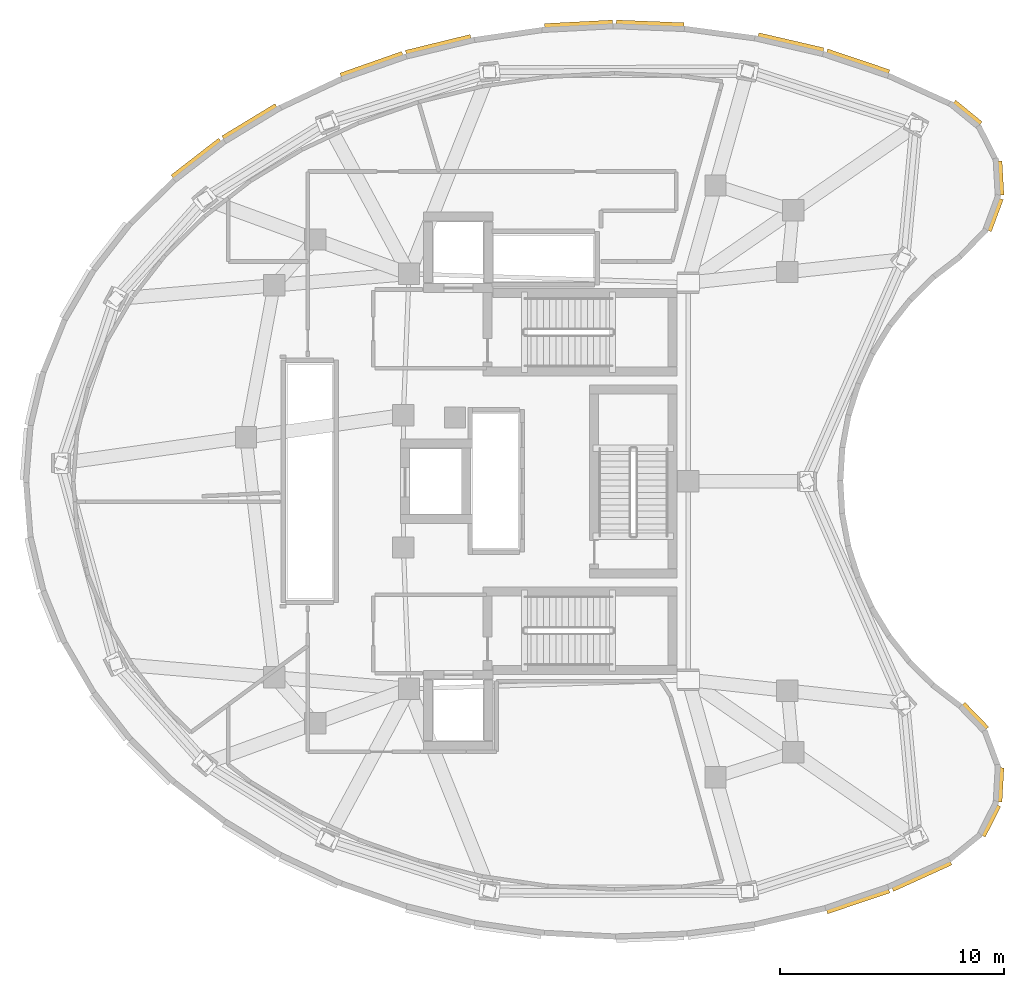
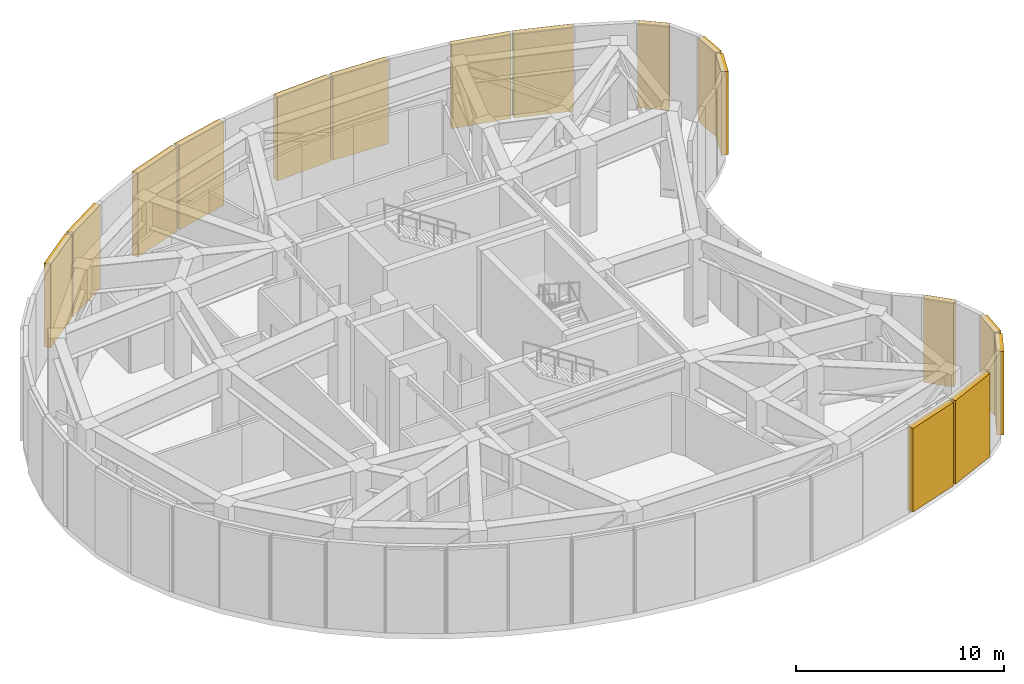
# One storey, part 9 of 9: 16 shading devices.
"""IFC4 building model written with IfcOpenShell, lengths in metres."""

from ifc_helpers import new_model, si_unit, direction, frame, origin, origin_2d, place, context, subcontext, project, spatial, rectangle, extrude, material, layer, layer_set, type_object, element, save


model = new_model("IFC4")

# Units and contexts
model_context = context("Model", 3, precision=1e-05, world=origin(), true_north=direction((0.0, 1.0)))
body_context = subcontext(model_context, "Body", "Model", "MODEL_VIEW")
ifc_project = project(units=[si_unit("LENGTHUNIT", "METRE"), si_unit("AREAUNIT", "SQUARE_METRE"), si_unit("VOLUMEUNIT", "CUBIC_METRE"), si_unit("PLANEANGLEUNIT", "RADIAN"), si_unit("MASSUNIT", "GRAM", prefix="KILO")], contexts=[model_context])

# Site, building, storey
site_placement = place(None, origin())
site = spatial("IfcSite", under=ifc_project, at=site_placement, CompositionType="ELEMENT")
building_placement = place(site_placement, origin())
building = spatial("IfcBuilding", under=site, at=building_placement, Name="Korentha Bioscience Tower", CompositionType="ELEMENT")
storey_placement = place(building_placement, frame((0.0, 0.0, 277.199951171875)))
storey = spatial("IfcBuildingStorey", under=building, at=storey_placement, Name="L64", CompositionType="ELEMENT", Elevation=277.199951171875)

# Shading devices
ifc_material = material(Name="Powder-Coated Aluminium Louvre", Category="aluminium")
ifc_layer = layer(ifc_material, 0.1201171875, Name="Powder-Coated Aluminium Louvre")
ifc_layer_set = layer_set([ifc_layer], Name="Powder-Coated Aluminium Louvre (LV-350)")
shading_device_type = type_object("IfcShadingDeviceType", Name="Acoustic Weatherproof Aluminium Plant Louvre 350", PredefinedType="USERDEFINED", material=ifc_layer_set)
shading_device_1_placement = place(storey_placement, frame((45.09521484375, 45.644287109375, 0.10009765625), z_axis=(0.0, 0.0, 1.0), x_axis=(-0.947647039561, 0.319319727563, 0.0)))
element("IfcShadingDevice", 1, at=shading_device_1_placement, inside=storey, type_object=shading_device_type, Name="L64 Acoustic Plant Louvre 02", ObjectType="LOUVRE", PredefinedType="USERDEFINED", context=body_context, shape_type="SweptSolid", body=[
    extrude(rectangle(XDim=2.923583984375, YDim=0.35009765625, at=origin_2d()), origin(), (0.0, 0.0, 1.0), 4.89990234375),
])
shading_device_2_placement = place(storey_placement, frame((42.1083984375, 46.490234375, 0.10009765625), z_axis=(0.0, 0.0, 1.0), x_axis=(-0.974179545434, 0.225774695787, 0.0)))
element("IfcShadingDevice", 2, at=shading_device_2_placement, inside=storey, type_object=shading_device_type, Name="L64 Acoustic Plant Louvre 03", ObjectType="LOUVRE", PredefinedType="USERDEFINED", context=body_context, shape_type="SweptSolid", body=[
    extrude(rectangle(XDim=2.975830078125, YDim=0.35009765625, at=origin_2d()), origin(), (0.0, 0.0, 1.0), 4.89990234375),
])
shading_device_3_placement = place(storey_placement, frame((35.848388671875, 47.3291015625, 0.10009765625), z_axis=(0.0, 0.0, 1.0), x_axis=(-0.999189042335, 0.040264844187, 0.0)))
element("IfcShadingDevice", 3, at=shading_device_3_placement, inside=storey, type_object=shading_device_type, Name="L64 Acoustic Plant Louvre 05", ObjectType="LOUVRE", PredefinedType="USERDEFINED", context=body_context, shape_type="SweptSolid", body=[
    extrude(rectangle(XDim=3.02880859375, YDim=0.35009765625, at=origin_2d()), origin(), (0.0, 0.0, 1.0), 4.89990234375),
])
shading_device_4_placement = place(storey_placement, frame((32.665283203125, 47.310302734375, 0.10009765625), z_axis=(0.0, 0.0, 1.0), x_axis=(-0.998636570747, -0.052201528398, 0.0)))
element("IfcShadingDevice", 4, at=shading_device_4_placement, inside=storey, type_object=shading_device_type, Name="L64 Acoustic Plant Louvre 06", ObjectType="LOUVRE", PredefinedType="USERDEFINED", context=body_context, shape_type="SweptSolid", body=[
    extrude(rectangle(XDim=3.027587890625, YDim=0.35009765625, at=origin_2d()), origin(), (0.0, 0.0, 1.0), 4.89990234375),
])
shading_device_5_placement = place(storey_placement, frame((26.423095703125, 46.396728515625, 0.10009765625), z_axis=(0.0, 0.0, 1.0), x_axis=(-0.971307554436, -0.237826900697, 0.0)))
element("IfcShadingDevice", 5, at=shading_device_5_placement, inside=storey, type_object=shading_device_type, Name="L64 Acoustic Plant Louvre 08", ObjectType="LOUVRE", PredefinedType="USERDEFINED", context=body_context, shape_type="SweptSolid", body=[
    extrude(rectangle(XDim=2.969970703125, YDim=0.35009765625, at=origin_2d()), origin(), (0.0, 0.0, 1.0), 4.89990234375),
])
shading_device_6_placement = place(storey_placement, frame((23.453857421875, 45.515380859375, 0.10009765625), z_axis=(0.0, 0.0, 1.0), x_axis=(-0.943486242336, -0.331411693402, 0.0)))
element("IfcShadingDevice", 6, at=shading_device_6_placement, inside=storey, type_object=shading_device_type, Name="L64 Acoustic Plant Louvre 09", ObjectType="LOUVRE", PredefinedType="USERDEFINED", context=body_context, shape_type="SweptSolid", body=[
    extrude(rectangle(XDim=2.916015625, YDim=0.35009765625, at=origin_2d()), origin(), (0.0, 0.0, 1.0), 4.89990234375),
])
shading_device_7_placement = place(storey_placement, frame((18.032958984375, 42.967041015625, 0.10009765625), z_axis=(0.0, 0.0, 1.0), x_axis=(-0.854508272838, -0.519437784197, 0.0)))
element("IfcShadingDevice", 7, at=shading_device_7_placement, inside=storey, type_object=shading_device_type, Name="L64 Acoustic Plant Louvre 11", ObjectType="LOUVRE", PredefinedType="USERDEFINED", context=body_context, shape_type="SweptSolid", body=[
    extrude(rectangle(XDim=2.768798828125, YDim=0.35009765625, at=origin_2d()), origin(), (0.0, 0.0, 1.0), 4.89990234375),
])
shading_device_8_placement = place(storey_placement, frame((15.659912109375, 41.3369140625, 0.10009765625), z_axis=(0.0, 0.0, 1.0), x_axis=(-0.79049296421, -0.612471120572, 0.0)))
element("IfcShadingDevice", 8, at=shading_device_8_placement, inside=storey, type_object=shading_device_type, Name="L64 Acoustic Plant Louvre 12", ObjectType="LOUVRE", PredefinedType="USERDEFINED", context=body_context, shape_type="SweptSolid", body=[
    extrude(rectangle(XDim=2.682861328125, YDim=0.35009765625, at=origin_2d()), origin(), (0.0, 0.0, 1.0), 4.89990234375),
])
shading_device_9_placement = place(storey_placement, frame((45.09521484375, 8.355712890625, 0.10009765625), z_axis=(0.0, 0.0, 1.0), x_axis=(0.947647039561, 0.319319727563, 0.0)))
element("IfcShadingDevice", 9, at=shading_device_9_placement, inside=storey, type_object=shading_device_type, Name="L64 Acoustic Plant Louvre 35", ObjectType="LOUVRE", PredefinedType="USERDEFINED", context=body_context, shape_type="SweptSolid", body=[
    extrude(rectangle(XDim=2.923583984375, YDim=0.35009765625, at=origin_2d()), origin(), (0.0, 0.0, 1.0), 4.89990234375),
])
shading_device_10_placement = place(storey_placement, frame((47.92822265625, 9.470703125, 0.10009765625), z_axis=(0.0, 0.0, 1.0), x_axis=(0.910599014309, 0.413290981197, 0.0)))
element("IfcShadingDevice", 10, at=shading_device_10_placement, inside=storey, type_object=shading_device_type, Name="L64 Acoustic Plant Louvre 36", ObjectType="LOUVRE", PredefinedType="USERDEFINED", context=body_context, shape_type="SweptSolid", body=[
    extrude(rectangle(XDim=2.857177734375, YDim=0.35009765625, at=origin_2d()), origin(), (0.0, 0.0, 1.0), 4.89990234375),
])
for number, where, z_axis, x_axis, name in (
    (11, (50.976318359375, 11.898681640625, 0.10009765625), (0.0, 0.0, 1.0), (0.454193000146, 0.890903316089, 0.0), "L64 Acoustic Plant Louvre 38"),
    (12, (51.404296875, 13.479248046875, 0.10009765625), (0.0, 0.0, 1.0), (0.057442667667, 0.998348806746, 0.0), "L64 Acoustic Plant Louvre 39"),
):
    element("IfcShadingDevice", number, at=place(storey_placement, frame(where, z_axis=z_axis, x_axis=x_axis)), inside=storey, type_object=shading_device_type, Name=name, ObjectType="LOUVRE", PredefinedType="USERDEFINED", context=body_context, shape_type="SweptSolid", body=[
        extrude(rectangle(XDim=1.521728515625, YDim=0.35009765625, at=origin_2d()), origin(), (0.0, 0.0, 1.0), 4.89990234375),
    ])
for number, where, z_axis, x_axis, name in (
    (13, (50.285888671875, 16.48291015625, 0.10009765625), (0.0, 0.0, 1.0), (-0.69641233203, 0.71764187712, 0.0), "L64 Acoustic Plant Louvre 41"),
    (14, (51.160400390625, 38.901611328125, 0.10009765625), (0.0, 0.0, 1.0), (0.348952360293, 0.937140464523, 0.0), "L64 Acoustic Plant Louvre 59"),
):
    element("IfcShadingDevice", number, at=place(storey_placement, frame(where, z_axis=z_axis, x_axis=x_axis)), inside=storey, type_object=shading_device_type, Name=name, ObjectType="LOUVRE", PredefinedType="USERDEFINED", context=body_context, shape_type="SweptSolid", body=[
        extrude(rectangle(XDim=1.521484375, YDim=0.35009765625, at=origin_2d()), origin(), (0.0, 0.0, 1.0), 4.89990234375),
    ])
for number, where, z_axis, x_axis, name in (
    (15, (51.404296875, 40.520751953125, 0.10009765625), (0.0, 0.0, 1.0), (-0.057442667667, 0.998348806746, 0.0), "L64 Acoustic Plant Louvre 60"),
    (16, (49.948486328125, 43.376220703125, 0.10009765625), (0.0, 0.0, 1.0), (-0.774211574657, 0.63292688177, 0.0), "L64 Acoustic Plant Louvre 62"),
):
    element("IfcShadingDevice", number, at=place(storey_placement, frame(where, z_axis=z_axis, x_axis=x_axis)), inside=storey, type_object=shading_device_type, Name=name, ObjectType="LOUVRE", PredefinedType="USERDEFINED", context=body_context, shape_type="SweptSolid", body=[
        extrude(rectangle(XDim=1.521728515625, YDim=0.35009765625, at=origin_2d()), origin(), (0.0, 0.0, 1.0), 4.89990234375),
    ])

save(model, "model.ifc")
